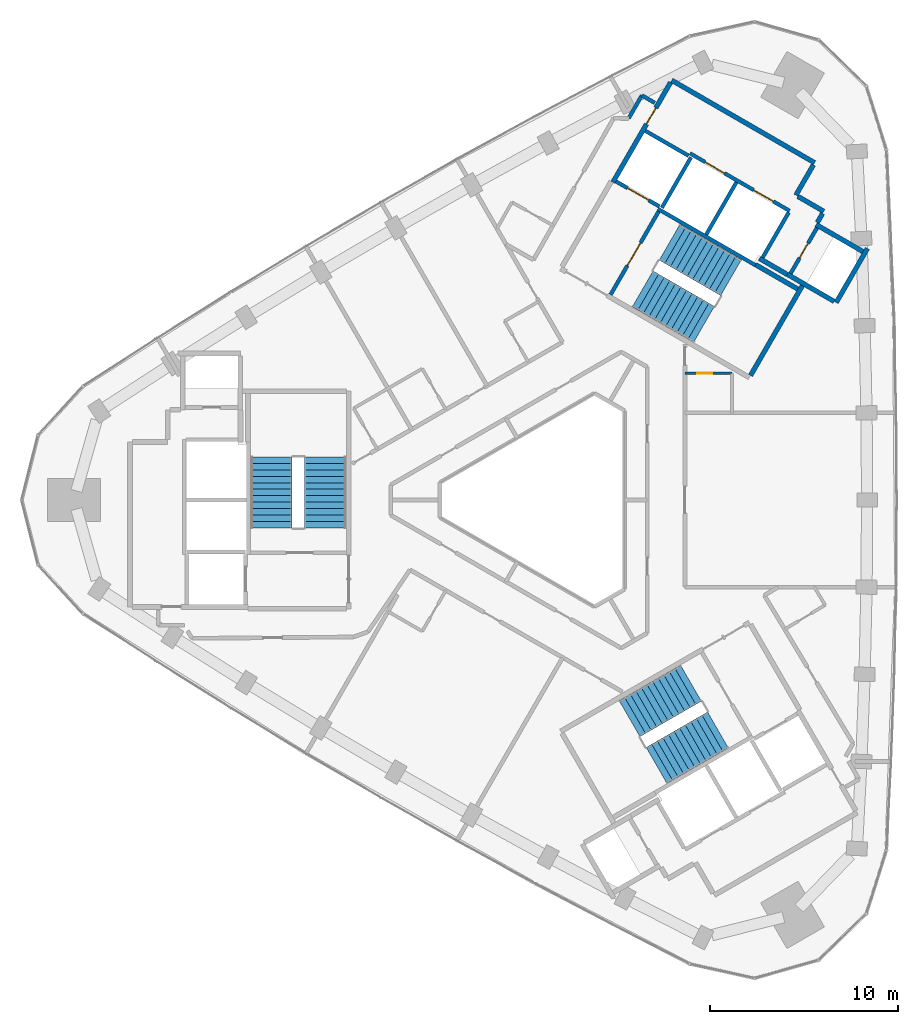
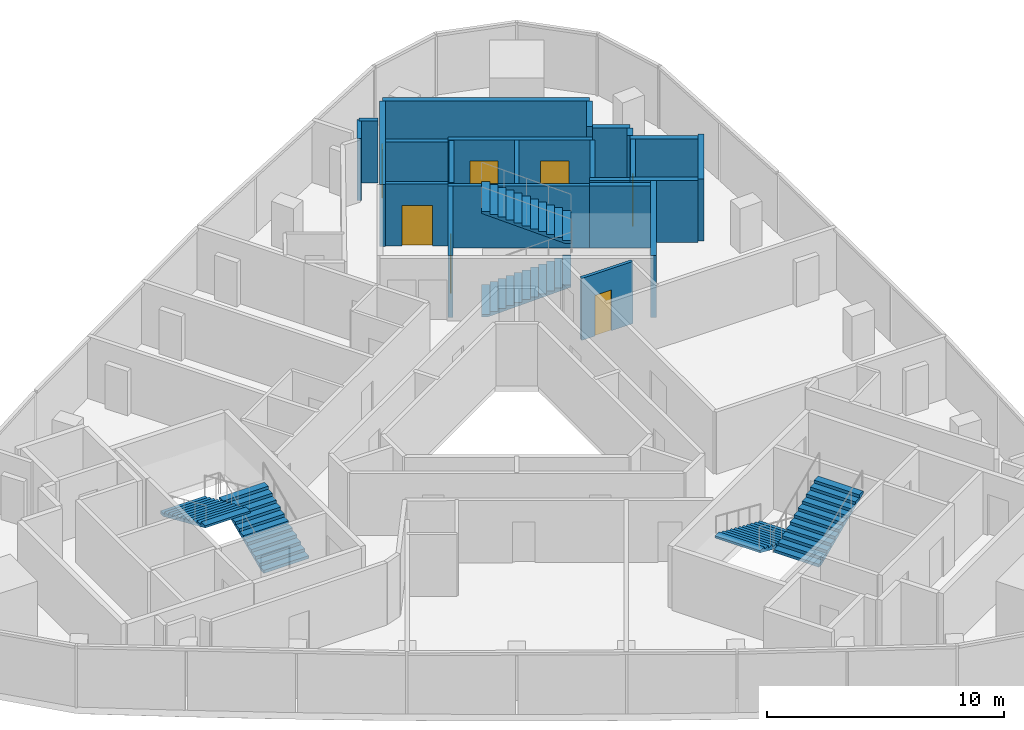
# One storey, part 10 of 11: 23 walls, 7 doors, 6 stair flights, 7 openings, 3 elements without a shape of their own.
"""IFC4 building model written with IfcOpenShell, lengths in metres."""

from ifc_helpers import new_model, si_unit, direction, frame, frame_2d, origin, place, context, subcontext, project, spatial, polyline, rectangle, outline, extrude, material, layer, layer_set, type_object, element, fill, aggregate, save


model = new_model("IFC4")

# Units and contexts
model_context = context("Model", 3, precision=1e-05, world=origin(), true_north=direction((0.0, 1.0)))
body_context = subcontext(model_context, "Body", "Model", "MODEL_VIEW")
ifc_project = project(units=[si_unit("LENGTHUNIT", "METRE"), si_unit("AREAUNIT", "SQUARE_METRE"), si_unit("VOLUMEUNIT", "CUBIC_METRE"), si_unit("PLANEANGLEUNIT", "RADIAN"), si_unit("MASSUNIT", "GRAM", prefix="KILO")], contexts=[model_context])

# Site, building, storey
site_placement = place(None, origin())
site = spatial("IfcSite", under=ifc_project, at=site_placement, CompositionType="ELEMENT")
building_placement = place(site_placement, origin())
building = spatial("IfcBuilding", under=site, at=building_placement, Name="Tamra Quay Hotel Tower", CompositionType="ELEMENT")
storey_placement = place(building_placement, frame((0.0, 0.0, 253.800048828125)))
storey = spatial("IfcBuildingStorey", under=building, at=storey_placement, Name="L64", CompositionType="ELEMENT", Elevation=253.800048828125)

# Wall, openings, doors
ifc_material_1 = material(Name="Concrete M70", Category="concrete")
ifc_layer_1 = layer(ifc_material_1, 0.199951171875)
ifc_layer_set_1 = layer_set([ifc_layer_1], Name="Concrete M70 core wall 200")
wall_type_1 = type_object("IfcWallType", Name="Concrete M70 core wall 200", PredefinedType="SHEAR", material=ifc_layer_set_1)
wall_1_placement = place(storey_placement, frame((12.552490234375, 15.341552734375, 0.0), z_axis=(0.0, 0.0, 1.0), x_axis=(-0.866030299012, 0.499991521122, 0.0)))
wall_1 = element("IfcWall", 1, at=wall_1_placement, inside=storey, type_object=wall_type_1, Name="CW2", PredefinedType="SHEAR", context=body_context, shape_type="SweptSolid", body=[
    extrude(rectangle(XDim=6.10009765625, YDim=0.199951171875, at=frame_2d((3.050048828125, 0.0))), origin(), (0.0, 0.0, 1.0), 3.199951171875),
])
opening_1_placement = place(wall_1_placement, frame((1.0, 0.0, 0.0)))
opening_1 = element("IfcOpeningElement", 2, at=opening_1_placement, cuts=wall_1, Name="Opening LD", PredefinedType="OPENING", context=body_context, shape_type="SweptSolid", body=[
    extrude(rectangle(XDim=1.199951171875, YDim=2.10009765625, at=frame_2d((0.60009765625, 1.050048828125))), frame((0.0, 0.10986328125, 0.0), z_axis=(0.0, -1.0, 0.0), x_axis=(1.0, 0.0, 0.0)), (0.0, 0.0, 1.0), 0.219970703125),
])
opening_2_placement = place(wall_1_placement, frame((3.982177734375, 0.0, 0.0)))
opening_2 = element("IfcOpeningElement", 3, at=opening_2_placement, cuts=wall_1, Name="Opening LD", PredefinedType="OPENING", context=body_context, shape_type="SweptSolid", body=[
    extrude(rectangle(XDim=1.199951171875, YDim=2.10009765625, at=frame_2d((0.60009765625, 1.050048828125))), frame((0.0, 0.10986328125, 0.0), z_axis=(0.0, -1.0, 0.0), x_axis=(1.0, 0.0, 0.0)), (0.0, 0.0, 1.0), 0.219970703125),
])
ifc_material_2 = material(Name="Landing door LD 1200 double door sliding")
door_type_1 = type_object("IfcDoorType", Name="Landing door LD 1200 double door sliding", OperationType="DOUBLE_DOOR_SLIDING", PredefinedType="DOOR", material=ifc_material_2)
door_1_placement = place(opening_1_placement, origin())
door_1 = element("IfcDoor", 4, at=door_1_placement, inside=storey, type_object=door_type_1, Name="LD", OperationType="DOUBLE_DOOR_SLIDING", OverallHeight=2.10009765625, OverallWidth=1.199951171875, PredefinedType="DOOR", context=body_context, shape_type="SweptSolid", body=[
    extrude(rectangle(XDim=1.199951171875, YDim=2.10009765625, at=frame_2d((0.60009765625, 1.050048828125))), frame((0.0, 0.02490234375, 0.0), z_axis=(0.0, -1.0, 0.0), x_axis=(1.0, 0.0, 0.0)), (0.0, 0.0, 1.0), 0.050048828125),
])
fill(opening_1, door_1)
door_2_placement = place(opening_2_placement, origin())
door_2 = element("IfcDoor", 5, at=door_2_placement, inside=storey, type_object=door_type_1, Name="LD", OperationType="DOUBLE_DOOR_SLIDING", OverallHeight=2.10009765625, OverallWidth=1.199951171875, PredefinedType="DOOR", context=body_context, shape_type="SweptSolid", body=[
    extrude(rectangle(XDim=1.199951171875, YDim=2.10009765625, at=frame_2d((0.60009765625, 1.050048828125))), frame((0.0, 0.02490234375, 0.0), z_axis=(0.0, -1.0, 0.0), x_axis=(1.0, 0.0, 0.0)), (0.0, 0.0, 1.0), 0.050048828125),
])
fill(opening_2, door_2)

# Wall
wall_2_placement = place(storey_placement, frame((10.7431640625, 12.4599609375, 0.0), z_axis=(0.0, 0.0, 1.0), x_axis=(-0.866018848283, 0.500011354289, 0.0)))
element("IfcWall", 6, at=wall_2_placement, inside=storey, type_object=wall_type_1, Name="CW2", PredefinedType="SHEAR", context=body_context, shape_type="SweptSolid", body=[
    extrude(rectangle(XDim=5.973876953125, YDim=0.199951171875, at=frame_2d((2.98681640625, 0.0))), origin(), (0.0, 0.0, 1.0), 3.199951171875),
])

# Wall, opening, door
wall_3_placement = place(storey_placement, frame((3.056640625, 10.89453125, 0.0), z_axis=(0.0, 0.0, 1.0), x_axis=(0.500027839223, 0.866009330205, 0.0)))
wall_3 = element("IfcWall", 7, at=wall_3_placement, inside=storey, type_object=wall_type_1, Name="CW2", PredefinedType="SHEAR", context=body_context, shape_type="SweptSolid", body=[
    extrude(rectangle(XDim=5.097900390625, YDim=0.199951171875, at=frame_2d((2.548828125, 0.0))), origin(), (0.0, 0.0, 1.0), 3.199951171875),
])
opening_3_placement = place(wall_3_placement, frame((1.77392578125, 0.0, 0.0)))
opening_3 = element("IfcOpeningElement", 8, at=opening_3_placement, cuts=wall_3, Name="Opening FD2", PredefinedType="OPENING", context=body_context, shape_type="SweptSolid", body=[
    extrude(rectangle(XDim=1.39990234375, YDim=2.10009765625, at=frame_2d((0.699951171875, 1.050048828125))), frame((0.0, 0.10986328125, 0.0), z_axis=(0.0, -1.0, 0.0), x_axis=(1.0, 0.0, 0.0)), (0.0, 0.0, 1.0), 0.219970703125),
])
ifc_material_3 = material(Name="Core door FD2 1400x2100 LH")
door_type_2 = type_object("IfcDoorType", Name="Core door FD2 1400x2100 LH", OperationType="NOTDEFINED", PredefinedType="DOOR", material=ifc_material_3)
door_3_placement = place(opening_3_placement, origin())
door_3 = element("IfcDoor", 9, at=door_3_placement, inside=storey, type_object=door_type_2, Name="FD2", OperationType="SINGLE_SWING_LEFT", OverallHeight=2.10009765625, OverallWidth=1.39990234375, PredefinedType="DOOR", context=body_context, shape_type="SweptSolid", body=[
    extrude(rectangle(XDim=1.39990234375, YDim=2.10009765625, at=frame_2d((0.699951171875, 1.050048828125))), frame((0.0, 0.02490234375, 0.0), z_axis=(0.0, -1.0, 0.0), x_axis=(1.0, 0.0, 0.0)), (0.0, 0.0, 1.0), 0.050048828125),
])
fill(opening_3, door_3)

# Wall
wall_4_placement = place(storey_placement, frame((8.131591796875, 14.08447265625, 0.0), z_axis=(0.0, 0.0, 1.0), x_axis=(0.500030834389, 0.86600760081, 0.0)))
element("IfcWall", 10, at=wall_4_placement, inside=storey, type_object=wall_type_1, Name="CW2", PredefinedType="SHEAR", context=body_context, shape_type="SweptSolid", body=[
    extrude(rectangle(XDim=3.197998046875, YDim=0.199951171875, at=frame_2d((1.59912109375, 0.0))), origin(), (0.0, 0.0, 1.0), 3.199951171875),
])

# Wall, opening, door
wall_5_placement = place(storey_placement, frame((14.0078125, 14.442138671875, 0.0), z_axis=(0.0, 0.0, 1.0), x_axis=(-0.499986818241, -0.866033014143, 0.0)))
wall_5 = element("IfcWall", 11, at=wall_5_placement, inside=storey, type_object=wall_type_1, Name="CW2", PredefinedType="SHEAR", context=body_context, shape_type="SweptSolid", body=[
    extrude(rectangle(XDim=2.7978515625, YDim=0.199951171875, at=frame_2d((1.39892578125, 0.0))), origin(), (0.0, 0.0, 1.0), 3.199951171875),
])
opening_4_placement = place(wall_5_placement, frame((0.948974609375, 0.0, 0.0)))
opening_4 = element("IfcOpeningElement", 12, at=opening_4_placement, cuts=wall_5, Name="Opening D1", PredefinedType="OPENING", context=body_context, shape_type="SweptSolid", body=[
    extrude(rectangle(XDim=0.89990234375, YDim=2.10009765625, at=frame_2d((0.449951171875, 1.050048828125))), frame((0.0, 0.10986328125, 0.0), z_axis=(0.0, -1.0, 0.0), x_axis=(1.0, 0.0, 0.0)), (0.0, 0.0, 1.0), 0.219970703125),
])
ifc_material_4 = material(Name="Core door D1 900x2100 RH")
door_type_3 = type_object("IfcDoorType", Name="Core door D1 900x2100 RH", OperationType="NOTDEFINED", PredefinedType="DOOR", material=ifc_material_4)
door_4_placement = place(opening_4_placement, origin())
door_4 = element("IfcDoor", 13, at=door_4_placement, inside=storey, type_object=door_type_3, Name="D1", OperationType="SINGLE_SWING_RIGHT", OverallHeight=2.10009765625, OverallWidth=0.89990234375, PredefinedType="DOOR", context=body_context, shape_type="SweptSolid", body=[
    extrude(rectangle(XDim=0.89990234375, YDim=2.10009765625, at=frame_2d((0.449951171875, 1.050048828125))), frame((0.0, 0.02490234375, 0.0), z_axis=(0.0, -1.0, 0.0), x_axis=(1.0, 0.0, 0.0)), (0.0, 0.0, 1.0), 0.050048828125),
])
fill(opening_4, door_4)

# Walls
wall_6_placement = place(storey_placement, frame((12.50244140625, 15.2548828125, 0.0), z_axis=(0.0, 0.0, 1.0), x_axis=(-0.499965018551, -0.866045599391, 0.0)))
element("IfcWall", 14, at=wall_6_placement, inside=storey, type_object=wall_type_1, Name="CW2", PredefinedType="SHEAR", context=body_context, shape_type="SweptSolid", body=[
    extrude(rectangle(XDim=2.759033203125, YDim=0.199951171875, at=frame_2d((1.37939453125, 0.0))), origin(), (0.0, 0.0, 1.0), 3.199951171875),
])
wall_7_placement = place(storey_placement, frame((7.324462890625, 18.1865234375, 0.0), z_axis=(0.0, 0.0, 1.0), x_axis=(-0.499967891604, -0.866043940782, 0.0)))
element("IfcWall", 15, at=wall_7_placement, inside=storey, type_object=wall_type_1, Name="CW2", PredefinedType="SHEAR", context=body_context, shape_type="SweptSolid", body=[
    extrude(rectangle(XDim=3.099853515625, YDim=0.199951171875, at=frame_2d((1.5498046875, 0.0))), origin(), (0.0, 0.0, 1.0), 3.199951171875),
])

# Wall, opening, door
wall_8_placement = place(storey_placement, frame((5.646240234375, 15.575927734375, 0.0), z_axis=(0.0, 0.0, 1.0), x_axis=(-0.866018407898, 0.500012117035, 0.0)))
wall_8 = element("IfcWall", 16, at=wall_8_placement, inside=storey, type_object=wall_type_1, Name="CW2", PredefinedType="SHEAR", context=body_context, shape_type="SweptSolid", body=[
    extrude(rectangle(XDim=2.65087890625, YDim=0.199951171875, at=frame_2d((1.325439453125, 0.0))), origin(), (0.0, 0.0, 1.0), 3.199951171875),
])
opening_5_placement = place(wall_8_placement, frame((0.65185546875, 0.0, 0.0)))
opening_5 = element("IfcOpeningElement", 17, at=opening_5_placement, cuts=wall_8, Name="Opening LD", PredefinedType="OPENING", context=body_context, shape_type="SweptSolid", body=[
    extrude(rectangle(XDim=1.300048828125, YDim=2.10009765625, at=frame_2d((0.64990234375, 1.050048828125))), frame((0.0, 0.10986328125, 0.0), z_axis=(0.0, -1.0, 0.0), x_axis=(1.0, 0.0, 0.0)), (0.0, 0.0, 1.0), 0.219970703125),
])
ifc_material_5 = material(Name="Landing door LD 1300 sliding to left")
door_type_4 = type_object("IfcDoorType", Name="Landing door LD 1300 sliding to left", OperationType="NOTDEFINED", PredefinedType="DOOR", material=ifc_material_5)
door_5_placement = place(opening_5_placement, origin())
door_5 = element("IfcDoor", 18, at=door_5_placement, inside=storey, type_object=door_type_4, Name="LD", OperationType="SLIDING_TO_LEFT", OverallHeight=2.10009765625, OverallWidth=1.300048828125, PredefinedType="DOOR", context=body_context, shape_type="SweptSolid", body=[
    extrude(rectangle(XDim=1.300048828125, YDim=2.10009765625, at=frame_2d((0.64990234375, 1.050048828125))), frame((0.0, 0.02490234375, 0.0), z_axis=(0.0, -1.0, 0.0), x_axis=(1.0, 0.0, 0.0)), (0.0, 0.0, 1.0), 0.050048828125),
])
fill(opening_5, door_5)

# Walls
wall_9_placement = place(storey_placement, frame((7.1962890625, 18.260498046875, 0.0), z_axis=(0.0, 0.0, 1.0), x_axis=(-0.866018407898, 0.500012117035, 0.0)))
element("IfcWall", 19, at=wall_9_placement, inside=storey, type_object=wall_type_1, Name="CW2", PredefinedType="SHEAR", context=body_context, shape_type="SweptSolid", body=[
    extrude(rectangle(XDim=2.65087890625, YDim=0.199951171875, at=frame_2d((1.325439453125, 0.0))), origin(), (0.0, 0.0, 1.0), 3.199951171875),
])
ifc_layer_2 = layer(ifc_material_1, 0.25)
ifc_layer_set_2 = layer_set([ifc_layer_2], Name="Concrete M70 core wall 250")
wall_type_2 = type_object("IfcWallType", Name="Concrete M70 core wall 250", PredefinedType="SHEAR", material=ifc_layer_set_2)
wall_10_placement = place(storey_placement, frame((6.303955078125, 22.268798828125, 0.0), z_axis=(0.0, 0.0, 1.0), x_axis=(0.866022959057, -0.500004234368, 0.0)))
element("IfcWall", 20, at=wall_10_placement, inside=storey, type_object=wall_type_2, Name="CW1", PredefinedType="SHEAR", context=body_context, shape_type="SweptSolid", body=[
    extrude(rectangle(XDim=8.75, YDim=0.25, at=frame_2d((4.375, 0.0))), origin(), (0.0, 0.0, 1.0), 3.199951171875),
])

# Wall, opening, door
wall_11_placement = place(storey_placement, frame((3.178955078125, 16.856201171875, 0.0), z_axis=(0.0, 0.0, 1.0), x_axis=(0.500001955336, 0.866024274868, 0.0)))
wall_11 = element("IfcWall", 21, at=wall_11_placement, inside=storey, type_object=wall_type_2, Name="CW1", PredefinedType="SHEAR", context=body_context, shape_type="SweptSolid", body=[
    extrude(rectangle(XDim=6.12451171875, YDim=0.25, at=frame_2d((3.062255859375, 0.0))), origin(), (0.0, 0.0, 1.0), 3.199951171875),
])
opening_6_placement = place(wall_11_placement, frame((3.562744140625, 0.0, 0.0)))
opening_6 = element("IfcOpeningElement", 22, at=opening_6_placement, cuts=wall_11, Name="Opening FD3", PredefinedType="OPENING", context=body_context, shape_type="SweptSolid", body=[
    extrude(rectangle(XDim=1.0, YDim=2.10009765625, at=frame_2d((0.5, 1.050048828125))), frame((0.0, 0.135009765625, 0.0), z_axis=(0.0, -1.0, 0.0), x_axis=(1.0, 0.0, 0.0)), (0.0, 0.0, 1.0), 0.27001953125),
])
ifc_material_6 = material(Name="Core door FD3 1000x2100 LH")
door_type_5 = type_object("IfcDoorType", Name="Core door FD3 1000x2100 LH", OperationType="NOTDEFINED", PredefinedType="DOOR", material=ifc_material_6)
door_6_placement = place(opening_6_placement, origin())
door_6 = element("IfcDoor", 23, at=door_6_placement, inside=storey, type_object=door_type_5, Name="FD3", OperationType="SINGLE_SWING_LEFT", OverallHeight=2.10009765625, OverallWidth=1.0, PredefinedType="DOOR", context=body_context, shape_type="SweptSolid", body=[
    extrude(rectangle(XDim=1.0, YDim=2.10009765625, at=frame_2d((0.5, 1.050048828125))), frame((0.0, 0.02490234375, 0.0), z_axis=(0.0, -1.0, 0.0), x_axis=(1.0, 0.0, 0.0)), (0.0, 0.0, 1.0), 0.050048828125),
])
fill(opening_6, door_6)

# Walls
wall_12_placement = place(storey_placement, frame((13.237548828125, 11.3779296875, 0.0), z_axis=(0.0, 0.0, 1.0), x_axis=(-0.500008851346, -0.866020293397, 0.0)))
element("IfcWall", 24, at=wall_12_placement, inside=storey, type_object=wall_type_2, Name="CW1", PredefinedType="SHEAR", context=body_context, shape_type="SweptSolid", body=[
    extrude(rectangle(XDim=5.509765625, YDim=0.25, at=frame_2d((2.7548828125, 0.0))), origin(), (0.0, 0.0, 1.0), 3.199951171875),
])
wall_13_placement = place(storey_placement, frame((16.68359375, 13.3466796875, 0.0), z_axis=(0.0, 0.0, 1.0), x_axis=(-0.499998874531, -0.866026053573, 0.0)))
element("IfcWall", 25, at=wall_13_placement, inside=storey, type_object=wall_type_2, Name="CW1", PredefinedType="SHEAR", context=body_context, shape_type="SweptSolid", body=[
    extrude(rectangle(XDim=3.31298828125, YDim=0.25, at=frame_2d((1.656494140625, 0.0))), origin(), (0.0, 0.0, 1.0), 3.199951171875),
])
wall_14_placement = place(storey_placement, frame((14.91845703125, 10.540283203125, 0.0), z_axis=(0.0, 0.0, 1.0), x_axis=(-0.866063538972, 0.499933942099, 0.0)))
element("IfcWall", 26, at=wall_14_placement, inside=storey, type_object=wall_type_2, Name="CW1", PredefinedType="SHEAR", context=body_context, shape_type="SweptSolid", body=[
    extrude(rectangle(XDim=2.86474609375, YDim=0.25, at=frame_2d((1.432373046875, 0.0))), origin(), (0.0, 0.0, 1.0), 3.199951171875),
])
wall_15_placement = place(storey_placement, frame((13.962646484375, 14.61376953125, 0.0), z_axis=(0.0, 0.0, 1.0), x_axis=(0.866042235819, -0.499970844928, 0.0)))
element("IfcWall", 27, at=wall_15_placement, inside=storey, type_object=wall_type_2, Name="CW1", PredefinedType="SHEAR", context=body_context, shape_type="SweptSolid", body=[
    extrude(rectangle(XDim=2.864501953125, YDim=0.25, at=frame_2d((1.43212890625, 0.0))), origin(), (0.0, 0.0, 1.0), 3.199951171875),
])
wall_16_placement = place(storey_placement, frame((10.756591796875, 12.481201171875, 0.0), z_axis=(0.0, 0.0, 1.0), x_axis=(0.866022940537, -0.500004266446, 0.0)))
element("IfcWall", 28, at=wall_16_placement, inside=storey, type_object=wall_type_2, Name="CW1", PredefinedType="SHEAR", context=body_context, shape_type="SweptSolid", body=[
    extrude(rectangle(XDim=2.57470703125, YDim=0.25, at=frame_2d((1.287353515625, 0.0))), origin(), (0.0, 0.0, 1.0), 3.199951171875),
])
wall_17_placement = place(storey_placement, frame((13.819091796875, 17.78515625, 0.0), z_axis=(0.0, 0.0, 1.0), x_axis=(-0.500039802285, -0.866002422705, 0.0)))
element("IfcWall", 29, at=wall_17_placement, inside=storey, type_object=wall_type_2, Name="CW1", PredefinedType="SHEAR", context=body_context, shape_type="SweptSolid", body=[
    extrude(rectangle(XDim=1.864501953125, YDim=0.25, at=frame_2d((0.93212890625, 0.0))), origin(), (0.0, 0.0, 1.0), 3.199951171875),
])
wall_18_placement = place(storey_placement, frame((12.4326171875, 11.9638671875, 0.0), z_axis=(0.0, 0.0, 1.0), x_axis=(-0.866038183914, 0.499977863513, 0.0)))
element("IfcWall", 30, at=wall_18_placement, inside=storey, type_object=wall_type_2, Name="CW1", PredefinedType="SHEAR", context=body_context, shape_type="SweptSolid", body=[
    extrude(rectangle(XDim=1.7099609375, YDim=0.25, at=frame_2d((0.85498046875, 0.0))), origin(), (0.0, 0.0, 1.0), 3.199951171875),
])
wall_19_placement = place(storey_placement, frame((12.995361328125, 16.107666015625, 0.0), z_axis=(0.0, 0.0, 1.0), x_axis=(0.866044474677, -0.49996696679, 0.0)))
element("IfcWall", 31, at=wall_19_placement, inside=storey, type_object=wall_type_2, Name="CW1", PredefinedType="SHEAR", context=body_context, shape_type="SweptSolid", body=[
    extrude(rectangle(XDim=1.58447265625, YDim=0.25, at=frame_2d((0.792236328125, 0.0))), origin(), (0.0, 0.0, 1.0), 3.199951171875),
])
wall_20_placement = place(storey_placement, frame((14.304931640625, 15.206787109375, 0.0), z_axis=(0.0, 0.0, 1.0), x_axis=(-0.499848422343, -0.866112899501, 0.0)))
element("IfcWall", 32, at=wall_20_placement, inside=storey, type_object=wall_type_2, Name="CW1", PredefinedType="SHEAR", context=body_context, shape_type="SweptSolid", body=[
    extrude(rectangle(XDim=0.559326171875, YDim=0.25, at=frame_2d((0.27978515625, 0.0))), origin(), (0.0, 0.0, 1.0), 3.199951171875),
])
ifc_material_7 = material(Name="Partition corridor wall")
ifc_layer_3 = layer(ifc_material_7, 0.199951171875)
ifc_layer_set_3 = layer_set([ifc_layer_3], Name="Partition corridor wall")
wall_type_3 = type_object("IfcWallType", Name="Partition corridor wall", PredefinedType="PARTITIONING", material=ifc_layer_set_3)
wall_21_placement = place(storey_placement, frame((4.01611328125, 20.256103515625, 0.0), z_axis=(0.0, 0.0, 1.0), x_axis=(0.500135180047, 0.865947343479, 0.0)))
element("IfcWall", 33, at=wall_21_placement, inside=storey, type_object=wall_type_3, Name="W-C", PredefinedType="PARTITIONING", context=body_context, shape_type="SweptSolid", body=[
    extrude(rectangle(XDim=1.3994140625, YDim=0.199951171875, at=frame_2d((0.69970703125, 0.0))), origin(), (0.0, 0.0, 1.0), 3.199951171875),
])
wall_22_placement = place(storey_placement, frame((4.716064453125, 21.468017578125, 0.0), z_axis=(0.0, 0.0, 1.0), x_axis=(0.865912682783, -0.500195187698, 0.0)))
element("IfcWall", 34, at=wall_22_placement, inside=storey, type_object=wall_type_3, Name="W-C", PredefinedType="PARTITIONING", context=body_context, shape_type="SweptSolid", body=[
    extrude(rectangle(XDim=0.789794921875, YDim=0.199951171875, at=frame_2d((0.39501953125, 0.0))), origin(), (0.0, 0.0, 1.0), 3.199951171875),
])

# Wall, opening, door
ifc_material_8 = material(Name="Partition en-suite wall")
ifc_layer_4 = layer(ifc_material_8, 0.14990234375)
ifc_layer_set_4 = layer_set([ifc_layer_4], Name="Partition en-suite wall")
wall_type_4 = type_object("IfcWallType", Name="Partition en-suite wall", PredefinedType="PARTITIONING", material=ifc_layer_set_4)
wall_23_placement = place(storey_placement, frame((7.0009765625, 6.72509765625, 0.0), z_axis=(0.0, 0.0, 1.0), x_axis=(1.0, 0.0, 0.0)))
wall_23 = element("IfcWall", 35, at=wall_23_placement, inside=storey, type_object=wall_type_4, Name="W-E", PredefinedType="PARTITIONING", context=body_context, shape_type="SweptSolid", body=[
    extrude(rectangle(XDim=2.4970703125, YDim=0.14990234375, at=frame_2d((1.24853515625, 0.0))), origin(), (0.0, 0.0, 1.0), 3.199951171875),
])
opening_7_placement = place(wall_23_placement, frame((0.654052734375, 0.0, 0.0)))
opening_7 = element("IfcOpeningElement", 36, at=opening_7_placement, cuts=wall_23, Name="Opening L64-D017", PredefinedType="OPENING", context=body_context, shape_type="SweptSolid", body=[
    extrude(rectangle(XDim=0.800048828125, YDim=2.10009765625, at=frame_2d((0.39990234375, 1.050048828125))), frame((0.0, 0.0849609375, 0.0), z_axis=(0.0, -1.0, 0.0), x_axis=(1.0, 0.0, 0.0)), (0.0, 0.0, 1.0), 0.169921875),
])
ifc_material_9 = material(Name="Door en-suite 800x2100")
door_type_6 = type_object("IfcDoorType", Name="Door en-suite 800x2100", OperationType="NOTDEFINED", PredefinedType="DOOR", material=ifc_material_9)
door_7_placement = place(opening_7_placement, origin())
door_7 = element("IfcDoor", 37, at=door_7_placement, inside=storey, type_object=door_type_6, Name="L64-D017", OperationType="SINGLE_SWING_LEFT", OverallHeight=2.10009765625, OverallWidth=0.800048828125, PredefinedType="DOOR", context=body_context, shape_type="SweptSolid", body=[
    extrude(rectangle(XDim=0.800048828125, YDim=2.10009765625, at=frame_2d((0.39990234375, 1.050048828125))), frame((0.0, 0.02490234375, 0.0), z_axis=(0.0, -1.0, 0.0), x_axis=(1.0, 0.0, 0.0)), (0.0, 0.0, 1.0), 0.050048828125),
])
fill(opening_7, door_7)

# Stair, stair flights
ifc_material_10 = material(Name="Exit stair 2200 24 risers 150.0 going 342")
stair_type = type_object("IfcStairType", Name="Exit stair 2200 24 risers 150.0 going 342", PredefinedType="HALF_TURN_STAIR", material=ifc_material_10)
stair_1_placement = place(storey_placement, origin())
stair_1 = element("IfcStair", 38, at=stair_1_placement, inside=storey, type_object=stair_type, Name="L64 Exit stair ST3", PredefinedType="HALF_TURN_STAIR")
ifc_material_11 = material(Name="Exit stair flight 2200 12 risers 150.0")
stair_flight_type = type_object("IfcStairFlightType", Name="Exit stair flight 2200 12 risers 150.0", PredefinedType="STRAIGHT", material=ifc_material_11)
stair_flight_1_placement = place(storey_placement, frame((-12.082275390625, -1.47998046875, 0.0), z_axis=(0.0, 0.0, 1.0), x_axis=(0.0, 1.0, 0.0)))
stair_flight_1 = element("IfcStairFlight", 39, at=stair_flight_1_placement, type_object=stair_flight_type, Name="ST3 flight 1", NumberOfRisers=12, NumberOfTreads=11, PredefinedType="STRAIGHT", RiserHeight=0.15, TreadLength=0.342, context=body_context, shape_type="SweptSolid", body=[
    extrude(outline(polyline([(0.0, 0.0), (0.0, 0.14990234375), (0.342041015625, 0.14990234375), (0.342041015625, 0.300048828125), (0.68408203125, 0.300048828125), (0.68408203125, 0.449951171875), (1.02587890625, 0.449951171875), (1.02587890625, 0.60009765625), (1.367919921875, 0.60009765625), (1.367919921875, 0.75), (1.7099609375, 0.75), (1.7099609375, 0.89990234375), (2.052001953125, 0.89990234375), (2.052001953125, 1.050048828125), (2.39404296875, 1.050048828125), (2.39404296875, 1.199951171875), (2.736083984375, 1.199951171875), (2.736083984375, 1.35009765625), (3.077880859375, 1.35009765625), (3.077880859375, 1.5), (3.419921875, 1.5), (3.419921875, 1.64990234375), (3.761962890625, 1.64990234375), (3.761962890625, 1.800048828125), (3.761962890625, 1.540771484375), (0.249267578125, 0.0), (0.0, 0.0)])), frame((0.0, 1.10009765625, 0.0), z_axis=(0.0, -1.0, 0.0), x_axis=(1.0, 0.0, 0.0)), (0.0, 0.0, 1.0), 2.199951171875),
])
stair_flight_2_placement = place(storey_placement, frame((-14.94140625, 2.281982421875, 1.800048828125), z_axis=(0.0, 0.0, 1.0), x_axis=(0.0, -1.0, 0.0)))
stair_flight_2 = element("IfcStairFlight", 40, at=stair_flight_2_placement, type_object=stair_flight_type, Name="ST3 flight 2", NumberOfRisers=12, NumberOfTreads=11, PredefinedType="STRAIGHT", RiserHeight=0.15, TreadLength=0.342, context=body_context, shape_type="SweptSolid", body=[
    extrude(outline(polyline([(0.0, 0.0), (0.0, 0.14990234375), (0.342041015625, 0.14990234375), (0.342041015625, 0.300048828125), (0.68408203125, 0.300048828125), (0.68408203125, 0.449951171875), (1.02587890625, 0.449951171875), (1.02587890625, 0.60009765625), (1.367919921875, 0.60009765625), (1.367919921875, 0.75), (1.7099609375, 0.75), (1.7099609375, 0.89990234375), (2.052001953125, 0.89990234375), (2.052001953125, 1.050048828125), (2.39404296875, 1.050048828125), (2.39404296875, 1.199951171875), (2.736083984375, 1.199951171875), (2.736083984375, 1.35009765625), (3.077880859375, 1.35009765625), (3.077880859375, 1.5), (3.419921875, 1.5), (3.419921875, 1.64990234375), (3.761962890625, 1.64990234375), (3.761962890625, 1.800048828125), (3.761962890625, 1.540771484375), (0.249267578125, 0.0), (0.0, 0.0)])), frame((0.0, 1.10009765625, 0.0), z_axis=(0.0, -1.0, 0.0), x_axis=(1.0, 0.0, 0.0)), (0.0, 0.0, 1.0), 2.199951171875),
])
aggregate(stair_1, [stair_flight_1, stair_flight_2])

stair_2_placement = place(storey_placement, origin())
stair_2 = element("IfcStair", 41, at=stair_2_placement, inside=storey, type_object=stair_type, Name="L64 Exit stair ST1", PredefinedType="HALF_TURN_STAIR")
stair_flight_3_placement = place(storey_placement, frame((4.75927734375, 11.20361328125, 0.0), z_axis=(0.0, 0.0, 1.0), x_axis=(0.866025403784, -0.5, 0.0)))
stair_flight_3 = element("IfcStairFlight", 42, at=stair_flight_3_placement, type_object=stair_flight_type, Name="ST1 flight 1", NumberOfRisers=12, NumberOfTreads=11, PredefinedType="STRAIGHT", RiserHeight=0.15, TreadLength=0.342, context=body_context, shape_type="SweptSolid", body=[
    extrude(outline(polyline([(0.0, 0.0), (0.0, 0.14990234375), (0.342041015625, 0.14990234375), (0.342041015625, 0.300048828125), (0.68408203125, 0.300048828125), (0.68408203125, 0.449951171875), (1.02587890625, 0.449951171875), (1.02587890625, 0.60009765625), (1.367919921875, 0.60009765625), (1.367919921875, 0.75), (1.7099609375, 0.75), (1.7099609375, 0.89990234375), (2.052001953125, 0.89990234375), (2.052001953125, 1.050048828125), (2.39404296875, 1.050048828125), (2.39404296875, 1.199951171875), (2.736083984375, 1.199951171875), (2.736083984375, 1.35009765625), (3.077880859375, 1.35009765625), (3.077880859375, 1.5), (3.419921875, 1.5), (3.419921875, 1.64990234375), (3.761962890625, 1.64990234375), (3.761962890625, 1.800048828125), (3.761962890625, 1.540771484375), (0.249267578125, 0.0), (0.0, 0.0)])), frame((0.0, 1.10009765625, 0.0), z_axis=(0.0, -1.0, 0.0), x_axis=(1.0, 0.0, 0.0)), (0.0, 0.0, 1.0), 2.199951171875),
])
stair_flight_4_placement = place(storey_placement, frame((9.44677734375, 11.798583984375, 1.800048828125), z_axis=(0.0, 0.0, 1.0), x_axis=(-0.866025403784, 0.5, 0.0)))
stair_flight_4 = element("IfcStairFlight", 43, at=stair_flight_4_placement, type_object=stair_flight_type, Name="ST1 flight 2", NumberOfRisers=12, NumberOfTreads=11, PredefinedType="STRAIGHT", RiserHeight=0.15, TreadLength=0.342, context=body_context, shape_type="SweptSolid", body=[
    extrude(outline(polyline([(0.0, 0.0), (0.0, 0.14990234375), (0.342041015625, 0.14990234375), (0.342041015625, 0.300048828125), (0.68408203125, 0.300048828125), (0.68408203125, 0.449951171875), (1.02587890625, 0.449951171875), (1.02587890625, 0.60009765625), (1.367919921875, 0.60009765625), (1.367919921875, 0.75), (1.7099609375, 0.75), (1.7099609375, 0.89990234375), (2.052001953125, 0.89990234375), (2.052001953125, 1.050048828125), (2.39404296875, 1.050048828125), (2.39404296875, 1.199951171875), (2.736083984375, 1.199951171875), (2.736083984375, 1.35009765625), (3.077880859375, 1.35009765625), (3.077880859375, 1.5), (3.419921875, 1.5), (3.419921875, 1.64990234375), (3.761962890625, 1.64990234375), (3.761962890625, 1.800048828125), (3.761962890625, 1.540771484375), (0.249267578125, 0.0), (0.0, 0.0)])), frame((0.0, 1.10009765625, 0.0), z_axis=(0.0, -1.0, 0.0), x_axis=(1.0, 0.0, 0.0)), (0.0, 0.0, 1.0), 2.199951171875),
])
aggregate(stair_2, [stair_flight_3, stair_flight_4])

stair_3_placement = place(storey_placement, origin())
stair_3 = element("IfcStair", 44, at=stair_3_placement, inside=storey, type_object=stair_type, Name="L64 Exit stair ST2", PredefinedType="HALF_TURN_STAIR")
stair_flight_5_placement = place(storey_placement, frame((7.322998046875, -9.7236328125, 0.0), z_axis=(0.0, 0.0, 1.0), x_axis=(-0.866025403784, -0.5, 0.0)))
stair_flight_5 = element("IfcStairFlight", 45, at=stair_flight_5_placement, type_object=stair_flight_type, Name="ST2 flight 1", NumberOfRisers=12, NumberOfTreads=11, PredefinedType="STRAIGHT", RiserHeight=0.15, TreadLength=0.342, context=body_context, shape_type="SweptSolid", body=[
    extrude(outline(polyline([(0.0, 0.0), (0.0, 0.14990234375), (0.342041015625, 0.14990234375), (0.342041015625, 0.300048828125), (0.68408203125, 0.300048828125), (0.68408203125, 0.449951171875), (1.02587890625, 0.449951171875), (1.02587890625, 0.60009765625), (1.367919921875, 0.60009765625), (1.367919921875, 0.75), (1.7099609375, 0.75), (1.7099609375, 0.89990234375), (2.052001953125, 0.89990234375), (2.052001953125, 1.050048828125), (2.39404296875, 1.050048828125), (2.39404296875, 1.199951171875), (2.736083984375, 1.199951171875), (2.736083984375, 1.35009765625), (3.077880859375, 1.35009765625), (3.077880859375, 1.5), (3.419921875, 1.5), (3.419921875, 1.64990234375), (3.761962890625, 1.64990234375), (3.761962890625, 1.800048828125), (3.761962890625, 1.540771484375), (0.249267578125, 0.0), (0.0, 0.0)])), frame((0.0, 1.10009765625, 0.0), z_axis=(0.0, -1.0, 0.0), x_axis=(1.0, 0.0, 0.0)), (0.0, 0.0, 1.0), 2.199951171875),
])
stair_flight_6_placement = place(storey_placement, frame((5.494384765625, -14.08056640625, 1.800048828125), z_axis=(0.0, 0.0, 1.0), x_axis=(0.866025403784, 0.5, 0.0)))
stair_flight_6 = element("IfcStairFlight", 46, at=stair_flight_6_placement, type_object=stair_flight_type, Name="ST2 flight 2", NumberOfRisers=12, NumberOfTreads=11, PredefinedType="STRAIGHT", RiserHeight=0.15, TreadLength=0.342, context=body_context, shape_type="SweptSolid", body=[
    extrude(outline(polyline([(0.0, 0.0), (0.0, 0.14990234375), (0.342041015625, 0.14990234375), (0.342041015625, 0.300048828125), (0.68408203125, 0.300048828125), (0.68408203125, 0.449951171875), (1.02587890625, 0.449951171875), (1.02587890625, 0.60009765625), (1.367919921875, 0.60009765625), (1.367919921875, 0.75), (1.7099609375, 0.75), (1.7099609375, 0.89990234375), (2.052001953125, 0.89990234375), (2.052001953125, 1.050048828125), (2.39404296875, 1.050048828125), (2.39404296875, 1.199951171875), (2.736083984375, 1.199951171875), (2.736083984375, 1.35009765625), (3.077880859375, 1.35009765625), (3.077880859375, 1.5), (3.419921875, 1.5), (3.419921875, 1.64990234375), (3.761962890625, 1.64990234375), (3.761962890625, 1.800048828125), (3.761962890625, 1.540771484375), (0.249267578125, 0.0), (0.0, 0.0)])), frame((0.0, 1.10009765625, 0.0), z_axis=(0.0, -1.0, 0.0), x_axis=(1.0, 0.0, 0.0)), (0.0, 0.0, 1.0), 2.199951171875),
])
aggregate(stair_3, [stair_flight_5, stair_flight_6])

save(model, "model.ifc")
